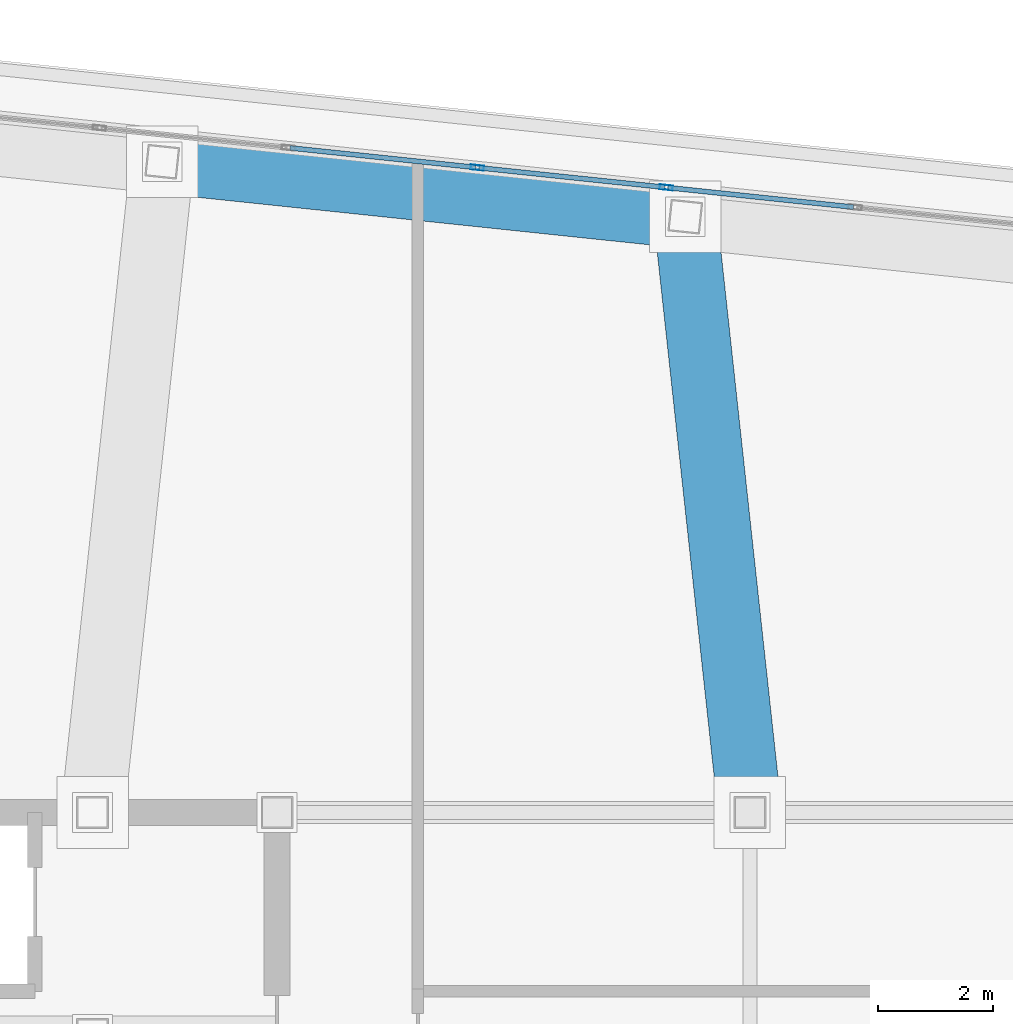
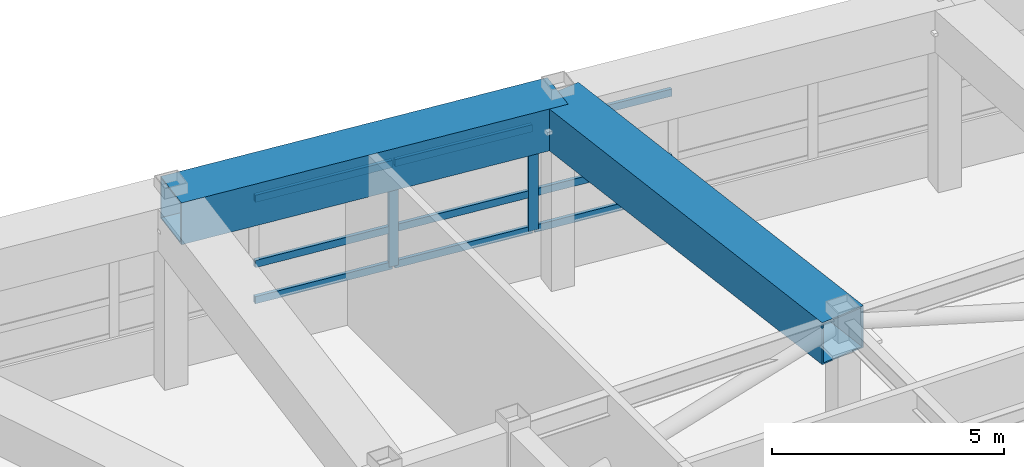
# One storey, part 14 of 22: 11 members, 2 beams, 1 element without a shape of its own.
"""IFC4 building model written with IfcOpenShell, lengths in metres."""

from ifc_helpers import new_model, si_unit, direction, frame, origin, origin_2d, place, context, subcontext, project, spatial, hollow_rectangle, extrude, material, layer, layer_set, material_profile, profile_set, type_object, element, aggregate, save


model = new_model("IFC4")

# Units and contexts
model_context = context("Model", 3, precision=1e-05, world=origin(), true_north=direction((0.0, 1.0)))
body_context = subcontext(model_context, "Body", "Model", "MODEL_VIEW")
ifc_project = project(units=[si_unit("LENGTHUNIT", "METRE"), si_unit("AREAUNIT", "SQUARE_METRE"), si_unit("VOLUMEUNIT", "CUBIC_METRE"), si_unit("PLANEANGLEUNIT", "RADIAN"), si_unit("MASSUNIT", "GRAM", prefix="KILO")], contexts=[model_context])

# Site, building, storey
site_placement = place(None, origin())
site = spatial("IfcSite", under=ifc_project, at=site_placement, CompositionType="ELEMENT")
building_placement = place(site_placement, origin())
building = spatial("IfcBuilding", under=site, at=building_placement, Name="Voryun Gate Residences", CompositionType="ELEMENT")
storey_placement = place(building_placement, frame((0.0, 0.0, 310.699951171875)))
storey = spatial("IfcBuildingStorey", under=building, at=storey_placement, Name="L77", CompositionType="ELEMENT", Elevation=310.699951171875)

# Beams
ifc_material_1 = material(Name="Steel SM420", Category="steel")
ifc_material_profile_1 = material_profile(ifc_material_1, hollow_rectangle(XDim=1.10009765625, YDim=1.10009765625, WallThickness=0.035888671875, at=origin_2d()), Name="BOX-1100x1100x36")
ifc_profile_set_1 = profile_set([ifc_material_profile_1], Name="Steel SM420")
beam_type = type_object("IfcBeamType", Name="BM_ARCH_RIB", PredefinedType="USERDEFINED", material=ifc_profile_set_1)
beam_1_placement = place(storey_placement, frame((-5.321533203125, 17.731689453125, 4.47509765625), z_axis=(-0.994523919568, 0.104509202498, 0.0), x_axis=(-0.104509202498, -0.994523919568, 0.0)))
element("IfcBeam", 1, at=beam_1_placement, inside=storey, type_object=beam_type, Name="BM-L77-SPAND-14", ObjectType="GIRDER", PredefinedType="USERDEFINED", context=body_context, shape_type="SweptSolid", body=[
    extrude(hollow_rectangle(XDim=1.10009765625, YDim=1.10009765625, WallThickness=0.035888671875, at=origin_2d()), origin(), (0.0, 0.0, 1.0), 9.1201171875),
])
beam_2_placement = place(storey_placement, frame((-4.199951171875, 7.39990234375, 4.47509765625), z_axis=(-0.107922397085, 0.99415932134, 0.0), x_axis=(-0.99415932134, -0.107922397085, 0.0)))
element("IfcBeam", 2, at=beam_2_placement, inside=storey, type_object=beam_type, Name="BM-L77-RAD-N4", ObjectType="GIRDER", PredefinedType="USERDEFINED", context=body_context, shape_type="SweptSolid", body=[
    extrude(hollow_rectangle(XDim=1.10009765625, YDim=1.10009765625, WallThickness=0.035888671875, at=origin_2d()), origin(), (0.0, 0.0, 1.0), 10.392578125),
])

# Curtain wall, members
ifc_material_2 = material(Name="Anodised aluminium", Category="aluminium")
ifc_layer = layer(ifc_material_2, 0.22998046875, Name="CW_SYS_LANTERN_DARK_GLASS")
ifc_layer_set = layer_set([ifc_layer], Name="Anodised aluminium")
curtain_wall_type = type_object("IfcCurtainWallType", Name="CW_SYS_LANTERN_DARK_GLASS", PredefinedType="NOTDEFINED", material=ifc_layer_set)
curtain_wall_placement = place(storey_placement, origin())
curtain_wall = element("IfcCurtainWall", 3, at=curtain_wall_placement, inside=storey, type_object=curtain_wall_type, Name="Curtain wall CW6-L77-11", PredefinedType="NOTDEFINED")
ifc_material_3 = material(Name="Anodised aluminium", Category="aluminium")
ifc_material_profile_2 = material_profile(ifc_material_3, hollow_rectangle(XDim=0.0849609375, YDim=0.22998046875, WallThickness=0.006103515625, at=origin_2d()), Name="ALU-MULL-230x85x6")
ifc_profile_set_2 = profile_set([ifc_material_profile_2], Name="Anodised aluminium")
member_type_1 = type_object("IfcMemberType", Name="CW_MULL_LANT", PredefinedType="MULLION", material=ifc_profile_set_2)
member_1_placement = place(storey_placement, frame((-8.928955078125, 18.583251953125, 1.18994140625), z_axis=(0.0, 0.0, 1.0), x_axis=(0.10452775858, 0.994521969434, 0.0)))
member_1 = element("IfcMember", 4, at=member_1_placement, type_object=member_type_1, Name="CW6 mullion 5", PredefinedType="MULLION", context=body_context, shape_type="SweptSolid", body=[
    extrude(hollow_rectangle(XDim=0.0849609375, YDim=0.22998046875, WallThickness=0.006103515625, at=origin_2d()), origin(), (0.0, 0.0, 1.0), 2.72509765625),
])
member_2_placement = place(storey_placement, frame((-5.65234375, 18.239013671875, 1.18994140625), z_axis=(0.0, 0.0, 1.0), x_axis=(0.10452775858, 0.994521969434, 0.0)))
member_2 = element("IfcMember", 5, at=member_2_placement, type_object=member_type_1, Name="CW6 mullion 6", PredefinedType="MULLION", context=body_context, shape_type="SweptSolid", body=[
    extrude(hollow_rectangle(XDim=0.0849609375, YDim=0.22998046875, WallThickness=0.006103515625, at=origin_2d()), origin(), (0.0, 0.0, 1.0), 2.72509765625),
])
ifc_material_4 = material(Name="Anodised aluminium", Category="aluminium")
ifc_material_profile_3 = material_profile(ifc_material_4, hollow_rectangle(XDim=0.0849609375, YDim=0.18994140625, WallThickness=0.006103515625, at=origin_2d()), Name="ALU-TRAN-190x85x6")
ifc_profile_set_3 = profile_set([ifc_material_profile_3], Name="Anodised aluminium")
member_type_2 = type_object("IfcMemberType", Name="CW_TRAN_LANT", PredefinedType="USERDEFINED", material=ifc_profile_set_3)
member_3_placement = place(storey_placement, frame((-12.17578125, 18.924560546875, 1.219970703125), z_axis=(0.994521569819, -0.104531560613, 0.0), x_axis=(0.104531560613, 0.994521569819, 0.0)))
member_3 = element("IfcMember", 6, at=member_3_placement, type_object=member_type_2, Name="CW6 transom 4.1", ObjectType="TRANSOM", PredefinedType="USERDEFINED", context=body_context, shape_type="SweptSolid", body=[
    extrude(hollow_rectangle(XDim=0.0849609375, YDim=0.18994140625, WallThickness=0.006103515625, at=origin_2d()), origin(), (0.0, 0.0, 1.0), 3.23486328125),
])
member_4_placement = place(storey_placement, frame((-12.17578125, 18.924560546875, 2.171142578125), z_axis=(0.994521569819, -0.104531560613, 0.0), x_axis=(0.104531560613, 0.994521569819, 0.0)))
member_4 = element("IfcMember", 7, at=member_4_placement, type_object=member_type_2, Name="CW6 transom 4.2", ObjectType="TRANSOM", PredefinedType="USERDEFINED", context=body_context, shape_type="SweptSolid", body=[
    extrude(hollow_rectangle(XDim=0.0849609375, YDim=0.18994140625, WallThickness=0.006103515625, at=origin_2d()), origin(), (0.0, 0.0, 1.0), 3.23486328125),
])
member_5_placement = place(storey_placement, frame((-12.17578125, 18.924560546875, 3.885009765625), z_axis=(0.994521569819, -0.104531560613, 0.0), x_axis=(0.104531560613, 0.994521569819, 0.0)))
member_5 = element("IfcMember", 8, at=member_5_placement, type_object=member_type_2, Name="CW6 transom 4.3", ObjectType="TRANSOM", PredefinedType="USERDEFINED", context=body_context, shape_type="SweptSolid", body=[
    extrude(hollow_rectangle(XDim=0.0849609375, YDim=0.18994140625, WallThickness=0.006103515625, at=origin_2d()), origin(), (0.0, 0.0, 1.0), 3.23486328125),
])
member_6_placement = place(storey_placement, frame((-8.899169921875, 18.580322265625, 1.219970703125), z_axis=(0.994521569819, -0.104531560613, 0.0), x_axis=(0.104531560613, 0.994521569819, 0.0)))
member_6 = element("IfcMember", 9, at=member_6_placement, type_object=member_type_2, Name="CW6 transom 5.1", ObjectType="TRANSOM", PredefinedType="USERDEFINED", context=body_context, shape_type="SweptSolid", body=[
    extrude(hollow_rectangle(XDim=0.0849609375, YDim=0.18994140625, WallThickness=0.006103515625, at=origin_2d()), origin(), (0.0, 0.0, 1.0), 3.23486328125),
])
member_7_placement = place(storey_placement, frame((-8.899169921875, 18.580322265625, 2.171142578125), z_axis=(0.994521569819, -0.104531560613, 0.0), x_axis=(0.104531560613, 0.994521569819, 0.0)))
member_7 = element("IfcMember", 10, at=member_7_placement, type_object=member_type_2, Name="CW6 transom 5.2", ObjectType="TRANSOM", PredefinedType="USERDEFINED", context=body_context, shape_type="SweptSolid", body=[
    extrude(hollow_rectangle(XDim=0.0849609375, YDim=0.18994140625, WallThickness=0.006103515625, at=origin_2d()), origin(), (0.0, 0.0, 1.0), 3.23486328125),
])
member_8_placement = place(storey_placement, frame((-8.899169921875, 18.580322265625, 3.885009765625), z_axis=(0.994521569819, -0.104531560613, 0.0), x_axis=(0.104531560613, 0.994521569819, 0.0)))
member_8 = element("IfcMember", 11, at=member_8_placement, type_object=member_type_2, Name="CW6 transom 5.3", ObjectType="TRANSOM", PredefinedType="USERDEFINED", context=body_context, shape_type="SweptSolid", body=[
    extrude(hollow_rectangle(XDim=0.0849609375, YDim=0.18994140625, WallThickness=0.006103515625, at=origin_2d()), origin(), (0.0, 0.0, 1.0), 3.23486328125),
])
member_9_placement = place(storey_placement, frame((-5.62255859375, 18.23583984375, 1.219970703125), z_axis=(0.994521569819, -0.104531560613, 0.0), x_axis=(0.104531560613, 0.994521569819, 0.0)))
member_9 = element("IfcMember", 12, at=member_9_placement, type_object=member_type_2, Name="CW6 transom 6.1", ObjectType="TRANSOM", PredefinedType="USERDEFINED", context=body_context, shape_type="SweptSolid", body=[
    extrude(hollow_rectangle(XDim=0.0849609375, YDim=0.18994140625, WallThickness=0.006103515625, at=origin_2d()), origin(), (0.0, 0.0, 1.0), 3.23486328125),
])
member_10_placement = place(storey_placement, frame((-5.62255859375, 18.23583984375, 2.171142578125), z_axis=(0.994521569819, -0.104531560613, 0.0), x_axis=(0.104531560613, 0.994521569819, 0.0)))
member_10 = element("IfcMember", 13, at=member_10_placement, type_object=member_type_2, Name="CW6 transom 6.2", ObjectType="TRANSOM", PredefinedType="USERDEFINED", context=body_context, shape_type="SweptSolid", body=[
    extrude(hollow_rectangle(XDim=0.0849609375, YDim=0.18994140625, WallThickness=0.006103515625, at=origin_2d()), origin(), (0.0, 0.0, 1.0), 3.23486328125),
])
member_11_placement = place(storey_placement, frame((-5.62255859375, 18.23583984375, 3.885009765625), z_axis=(0.994521569819, -0.104531560613, 0.0), x_axis=(0.104531560613, 0.994521569819, 0.0)))
member_11 = element("IfcMember", 14, at=member_11_placement, type_object=member_type_2, Name="CW6 transom 6.3", ObjectType="TRANSOM", PredefinedType="USERDEFINED", context=body_context, shape_type="SweptSolid", body=[
    extrude(hollow_rectangle(XDim=0.0849609375, YDim=0.18994140625, WallThickness=0.006103515625, at=origin_2d()), origin(), (0.0, 0.0, 1.0), 3.23486328125),
])
aggregate(curtain_wall, [member_1, member_2, member_3, member_4, member_5, member_6, member_7, member_8, member_9, member_10, member_11])

save(model, "model.ifc")
